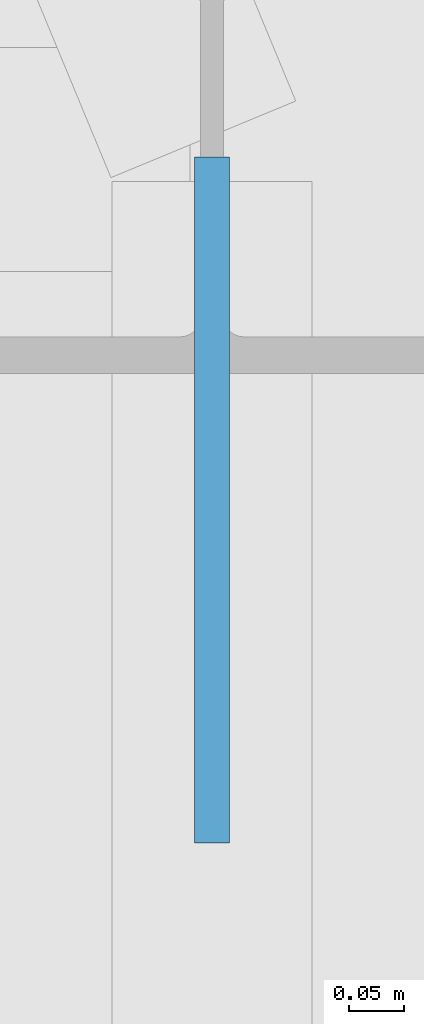
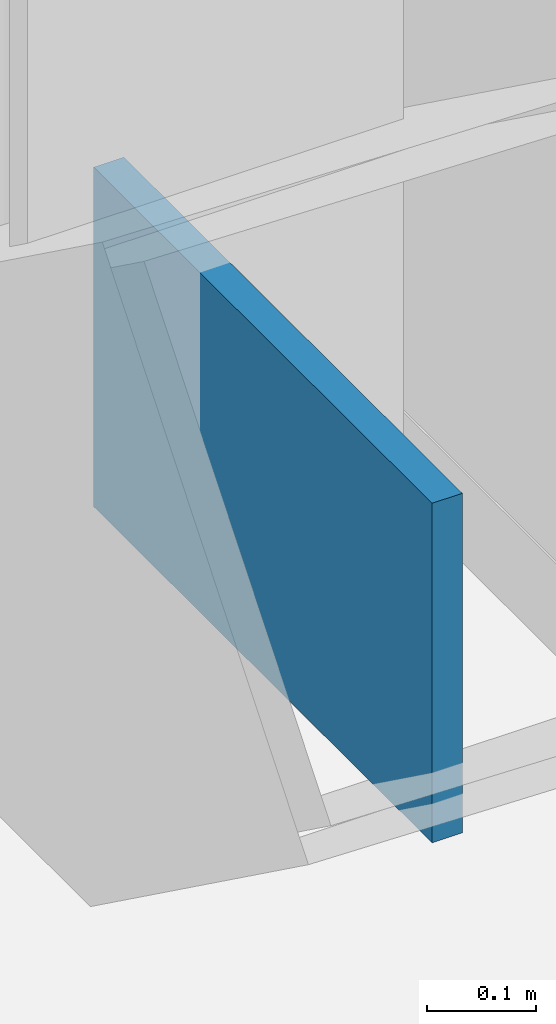
# One storey, part 32 of 37: 1 plate.
"""IFC4 building model written with IfcOpenShell, lengths in metres."""

from ifc_helpers import new_model, si_unit, direction, frame, origin, origin_2d, place, context, subcontext, project, spatial, rectangle, extrude, source, transform, mapped, material, layer, layer_set, type_object, type_shapes, element, save


model = new_model("IFC4")

# Units and contexts
model_context = context("Model", 3, precision=1e-05, world=origin(), true_north=direction((0.0, 1.0)))
body_context = subcontext(model_context, "Body", "Model", "MODEL_VIEW")
ifc_project = project(units=[si_unit("LENGTHUNIT", "METRE"), si_unit("AREAUNIT", "SQUARE_METRE"), si_unit("VOLUMEUNIT", "CUBIC_METRE"), si_unit("PLANEANGLEUNIT", "RADIAN"), si_unit("MASSUNIT", "GRAM", prefix="KILO")], contexts=[model_context])

# Site, building, storey
site_placement = place(None, origin())
site = spatial("IfcSite", under=ifc_project, at=site_placement, CompositionType="ELEMENT")
building_placement = place(site_placement, origin())
building = spatial("IfcBuilding", under=site, at=building_placement, Name="Varnel Quay Broadcast Tower", CompositionType="ELEMENT")
storey_placement = place(building_placement, frame((0.0, 0.0, 103.0)))
storey = spatial("IfcBuildingStorey", under=building, at=storey_placement, Name="L24", CompositionType="ELEMENT", Elevation=103.0)

# Plate
ifc_material = material(Name="Structural Steel CSA G40.21 350WT", Category="steel")
ifc_layer = layer(ifc_material, 0.031982421875, Name="Structural Steel CSA G40.21 350WT")
ifc_layer_set = layer_set([ifc_layer], Name="Structural Steel CSA G40.21 350WT")
plate_type = type_object("IfcPlateType", Name="Plate_EndCap", PredefinedType="USERDEFINED", material=ifc_layer_set)
shared_shape = source(origin(), body_context, "Body", "SweptSolid", [
    extrude(rectangle(XDim=0.6201171875, YDim=0.031982421875, at=origin_2d()), origin(), (0.0, 0.0, 1.0), 0.3798828125),
])
type_shapes(plate_type, [shared_shape])
plate_placement = place(storey_placement, frame((63.050048828125, 35.292236328125, 0.052978515625), z_axis=(0.0, 0.0, 1.0), x_axis=(0.0, 1.0, 0.0)))
element("IfcPlate", 1, at=plate_placement, inside=storey, type_object=plate_type, Name="Zone 2 Mega-Brace E-FT2 Diag B1 End Connection Plate P0", ObjectType="CAP_PLATE", PredefinedType="USERDEFINED", context=body_context, shape_type="MappedRepresentation", body=[
    mapped(shared_shape, transform((0.0, 0.0, 0.0), x_axis=(1.0, 0.0, 0.0), y_axis=(0.0, 1.0, 0.0), z_axis=(0.0, 0.0, 1.0), scale=1.0)),
])

save(model, "model.ifc")
